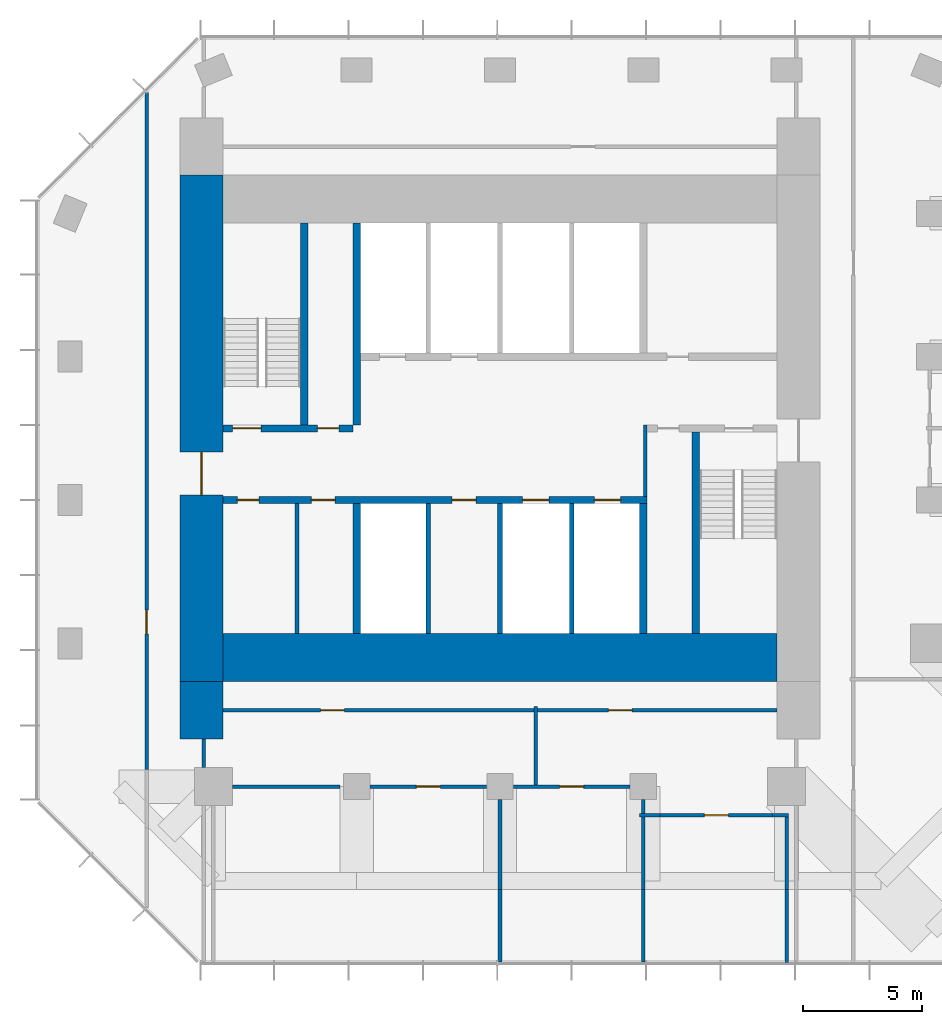
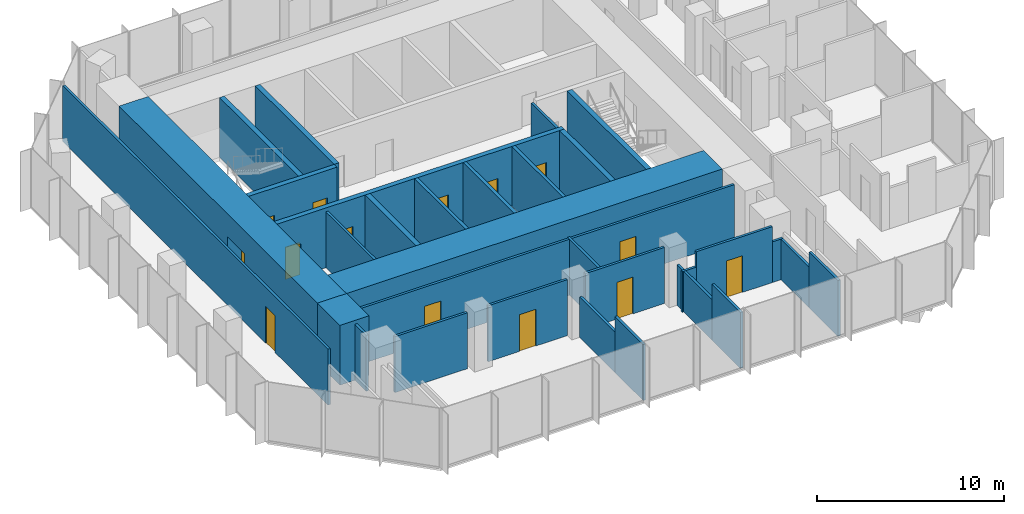
# One storey, part 8 of 11: 33 walls, 14 doors, 14 openings.
"""IFC4 building model written with IfcOpenShell, lengths in metres."""

from ifc_helpers import new_model, si_unit, direction, frame, frame_2d, origin, place, context, subcontext, project, spatial, rectangle, extrude, material, layer, layer_set, type_object, element, fill, save


model = new_model("IFC4")

# Units and contexts
model_context = context("Model", 3, precision=1e-05, world=origin(), true_north=direction((0.0, 1.0)))
body_context = subcontext(model_context, "Body", "Model", "MODEL_VIEW")
ifc_project = project(units=[si_unit("LENGTHUNIT", "METRE"), si_unit("AREAUNIT", "SQUARE_METRE"), si_unit("VOLUMEUNIT", "CUBIC_METRE"), si_unit("PLANEANGLEUNIT", "RADIAN"), si_unit("MASSUNIT", "GRAM", prefix="KILO")], contexts=[model_context])

# Site, building, storey
site_placement = place(None, origin())
site = spatial("IfcSite", under=ifc_project, at=site_placement, CompositionType="ELEMENT")
building_placement = place(site_placement, origin())
building = spatial("IfcBuilding", under=site, at=building_placement, Name="Highveld Stack Headquarters", CompositionType="ELEMENT")
storey_placement = place(building_placement, frame((0.0, 0.0, 284.0)))
storey = spatial("IfcBuildingStorey", under=building, at=storey_placement, Name="L70", CompositionType="ELEMENT", Elevation=284.0)

# Wall, opening, door
ifc_material_1 = material(Name="Concrete C60/75", Category="concrete")
ifc_layer_1 = layer(ifc_material_1, 1.800048828125)
ifc_layer_set_1 = layer_set([ifc_layer_1], Name="Concrete C60/75")
wall_type_1 = type_object("IfcWallType", Name="CORE WALL 1800 C60/75", PredefinedType="SHEAR", material=ifc_layer_set_1)
wall_1_placement = place(storey_placement, frame((-6.5, -7.60009765625, 0.0), z_axis=(0.0, 0.0, 1.0), x_axis=(0.0, 1.0, 0.0)))
wall_1 = element("IfcWall", 1, at=wall_1_placement, inside=storey, type_object=wall_type_1, Name="Core wall W L70", PredefinedType="SHEAR", context=body_context, shape_type="SweptSolid", body=[
    extrude(rectangle(XDim=21.2001953125, YDim=1.800048828125, at=frame_2d((10.60009765625, 0.0))), origin(), (0.0, 0.0, 1.0), 3.89990234375),
])
opening_1_placement = place(wall_1_placement, frame((7.800048828125, 0.0, 0.0)))
opening_1 = element("IfcOpeningElement", 2, at=opening_1_placement, cuts=wall_1, Name="Opening L70-01", PredefinedType="OPENING", context=body_context, shape_type="SweptSolid", body=[
    extrude(rectangle(XDim=1.800048828125, YDim=2.39990234375, at=frame_2d((0.89990234375, 1.199951171875))), frame((0.0, 0.909912109375, 0.0), z_axis=(0.0, -1.0, 0.0), x_axis=(1.0, 0.0, 0.0)), (0.0, 0.0, 1.0), 1.820068359375),
])
ifc_material_2 = material(Name="Steel fire door", Category="steel")
door_type_1 = type_object("IfcDoorType", Name="LOBBY FIRE DOOR D4 1800x2400", OperationType="DOUBLE_DOOR_SINGLE_SWING", PredefinedType="DOOR", material=ifc_material_2)
door_1_placement = place(opening_1_placement, origin())
door_1 = element("IfcDoor", 3, at=door_1_placement, inside=storey, type_object=door_type_1, Name="Core west door L70", OperationType="DOUBLE_DOOR_SINGLE_SWING", OverallHeight=2.39990234375, OverallWidth=1.800048828125, PredefinedType="DOOR", context=body_context, shape_type="SweptSolid", body=[
    extrude(rectangle(XDim=1.800048828125, YDim=2.39990234375, at=frame_2d((0.89990234375, 1.199951171875))), frame((0.0, 0.02490234375, 0.0), z_axis=(0.0, -1.0, 0.0), x_axis=(1.0, 0.0, 0.0)), (0.0, 0.0, 1.0), 0.050048828125),
])
fill(opening_1, door_1)

# Wall
ifc_material_3 = material(Name="Concrete C60/75", Category="concrete")
ifc_layer_2 = layer(ifc_material_3, 2.0)
ifc_layer_set_2 = layer_set([ifc_layer_2], Name="Concrete C60/75")
wall_type_2 = type_object("IfcWallType", Name="CORE WALL 2000 C60/75", PredefinedType="SHEAR", material=ifc_layer_set_2)
wall_2_placement = place(storey_placement, frame((-5.60009765625, -6.60009765625, 0.0), z_axis=(0.0, 0.0, 1.0), x_axis=(1.0, 0.0, 0.0)))
element("IfcWall", 4, at=wall_2_placement, inside=storey, type_object=wall_type_2, Name="Core wall S L70", PredefinedType="SHEAR", context=body_context, shape_type="SweptSolid", body=[
    extrude(rectangle(XDim=23.2001953125, YDim=2.0, at=frame_2d((11.60009765625, 0.0))), origin(), (0.0, 0.0, 1.0), 3.89990234375),
])

# Wall, openings, doors
ifc_material_4 = material(Name="Concrete C60/75", Category="concrete")
ifc_layer_3 = layer(ifc_material_4, 0.300048828125)
ifc_layer_set_3 = layer_set([ifc_layer_3], Name="Concrete C60/75")
wall_type_3 = type_object("IfcWallType", Name="CORE WALL 300 C60/75", PredefinedType="SHEAR", material=ifc_layer_set_3)
wall_3_placement = place(storey_placement, frame((-5.60009765625, 0.0, 0.0), z_axis=(0.0, 0.0, 1.0), x_axis=(1.0, 0.0, 0.0)))
wall_3 = element("IfcWall", 5, at=wall_3_placement, inside=storey, type_object=wall_type_3, Name="Core wall I-Y0 L70", PredefinedType="SHEAR", context=body_context, shape_type="SweptSolid", body=[
    extrude(rectangle(XDim=17.75, YDim=0.300048828125, at=frame_2d((8.875, 0.0))), origin(), (0.0, 0.0, 1.0), 3.89990234375),
])
opening_2_placement = place(wall_3_placement, frame((0.60009765625, 0.0, 0.0)))
opening_2 = element("IfcOpeningElement", 6, at=opening_2_placement, cuts=wall_3, Name="Opening L70-07", PredefinedType="OPENING", context=body_context, shape_type="SweptSolid", body=[
    extrude(rectangle(XDim=0.89990234375, YDim=2.10009765625, at=frame_2d((0.449951171875, 1.050048828125))), frame((0.0, 0.159912109375, 0.0), z_axis=(0.0, -1.0, 0.0), x_axis=(1.0, 0.0, 0.0)), (0.0, 0.0, 1.0), 0.320068359375),
])
opening_3_placement = place(wall_3_placement, frame((3.699951171875, 0.0, 0.0)))
opening_3 = element("IfcOpeningElement", 7, at=opening_3_placement, cuts=wall_3, Name="Opening L70-08", PredefinedType="OPENING", context=body_context, shape_type="SweptSolid", body=[
    extrude(rectangle(XDim=1.0, YDim=2.10009765625, at=frame_2d((0.5, 1.050048828125))), frame((0.0, 0.159912109375, 0.0), z_axis=(0.0, -1.0, 0.0), x_axis=(1.0, 0.0, 0.0)), (0.0, 0.0, 1.0), 0.320068359375),
])
opening_4_placement = place(wall_3_placement, frame((9.60009765625, 0.0, 0.0)))
opening_4 = element("IfcOpeningElement", 8, at=opening_4_placement, cuts=wall_3, Name="Opening L70-10", PredefinedType="OPENING", context=body_context, shape_type="SweptSolid", body=[
    extrude(rectangle(XDim=1.0, YDim=2.10009765625, at=frame_2d((0.5, 1.050048828125))), frame((0.0, 0.159912109375, 0.0), z_axis=(0.0, -1.0, 0.0), x_axis=(1.0, 0.0, 0.0)), (0.0, 0.0, 1.0), 0.320068359375),
])
opening_5_placement = place(wall_3_placement, frame((12.550048828125, 0.0, 0.0)))
opening_5 = element("IfcOpeningElement", 9, at=opening_5_placement, cuts=wall_3, Name="Opening LD", PredefinedType="OPENING", context=body_context, shape_type="SweptSolid", body=[
    extrude(rectangle(XDim=1.10009765625, YDim=2.10009765625, at=frame_2d((0.550048828125, 1.050048828125))), frame((0.0, 0.159912109375, 0.0), z_axis=(0.0, -1.0, 0.0), x_axis=(1.0, 0.0, 0.0)), (0.0, 0.0, 1.0), 0.320068359375),
])
opening_6_placement = place(wall_3_placement, frame((15.550048828125, 0.0, 0.0)))
opening_6 = element("IfcOpeningElement", 10, at=opening_6_placement, cuts=wall_3, Name="Opening LD", PredefinedType="OPENING", context=body_context, shape_type="SweptSolid", body=[
    extrude(rectangle(XDim=1.10009765625, YDim=2.10009765625, at=frame_2d((0.550048828125, 1.050048828125))), frame((0.0, 0.159912109375, 0.0), z_axis=(0.0, -1.0, 0.0), x_axis=(1.0, 0.0, 0.0)), (0.0, 0.0, 1.0), 0.320068359375),
])
ifc_material_5 = material(Name="Timber door, painted", Category="wood")
door_type_2 = type_object("IfcDoorType", Name="ACCESSIBLE WC DOOR D2 1000x2100", OperationType="SINGLE_SWING_RIGHT", PredefinedType="DOOR", material=ifc_material_5)
door_2_placement = place(opening_3_placement, origin())
door_2 = element("IfcDoor", 11, at=door_2_placement, inside=storey, type_object=door_type_2, Name="Accessible WC door L70", OperationType="SINGLE_SWING_LEFT", OverallHeight=2.10009765625, OverallWidth=1.0, PredefinedType="DOOR", context=body_context, shape_type="SweptSolid", body=[
    extrude(rectangle(XDim=1.0, YDim=2.10009765625, at=frame_2d((0.5, 1.050048828125))), frame((0.0, 0.02490234375, 0.0), z_axis=(0.0, -1.0, 0.0), x_axis=(1.0, 0.0, 0.0)), (0.0, 0.0, 1.0), 0.050048828125),
])
fill(opening_3, door_2)
ifc_material_6 = material(Name="Steel fire door", Category="steel")
door_type_3 = type_object("IfcDoorType", Name="CORE ROOM FIRE DOOR D14 1000x2100", OperationType="SINGLE_SWING_LEFT", PredefinedType="DOOR", material=ifc_material_6)
door_3_placement = place(opening_4_placement, origin())
door_3 = element("IfcDoor", 12, at=door_3_placement, inside=storey, type_object=door_type_3, Name="Capped B 1 door L70", OperationType="SINGLE_SWING_RIGHT", OverallHeight=2.10009765625, OverallWidth=1.0, PredefinedType="DOOR", context=body_context, shape_type="SweptSolid", body=[
    extrude(rectangle(XDim=1.0, YDim=2.10009765625, at=frame_2d((0.5, 1.050048828125))), frame((0.0, 0.02490234375, 0.0), z_axis=(0.0, -1.0, 0.0), x_axis=(1.0, 0.0, 0.0)), (0.0, 0.0, 1.0), 0.050048828125),
])
fill(opening_4, door_3)
ifc_material_7 = material(Name="Stainless steel lift landing door", Category="steel")
door_type_4 = type_object("IfcDoorType", Name="LIFT LANDING DOOR LD 1100x2100", OperationType="DOUBLE_DOOR_SLIDING", PredefinedType="USERDEFINED", material=ifc_material_7)
door_4_placement = place(opening_5_placement, origin())
door_4 = element("IfcDoor", 13, at=door_4_placement, inside=storey, type_object=door_type_4, Name="Lift landing door C1 L70", ObjectType="LIFT LANDING DOOR", OperationType="DOUBLE_DOOR_SLIDING", OverallHeight=2.10009765625, OverallWidth=1.10009765625, PredefinedType="USERDEFINED", context=body_context, shape_type="SweptSolid", body=[
    extrude(rectangle(XDim=1.10009765625, YDim=2.10009765625, at=frame_2d((0.550048828125, 1.050048828125))), frame((0.0, 0.02490234375, 0.0), z_axis=(0.0, -1.0, 0.0), x_axis=(1.0, 0.0, 0.0)), (0.0, 0.0, 1.0), 0.050048828125),
])
fill(opening_5, door_4)
door_5_placement = place(opening_6_placement, origin())
door_5 = element("IfcDoor", 14, at=door_5_placement, inside=storey, type_object=door_type_4, Name="Lift landing door C2 L70", ObjectType="LIFT LANDING DOOR", OperationType="DOUBLE_DOOR_SLIDING", OverallHeight=2.10009765625, OverallWidth=1.10009765625, PredefinedType="USERDEFINED", context=body_context, shape_type="SweptSolid", body=[
    extrude(rectangle(XDim=1.10009765625, YDim=2.10009765625, at=frame_2d((0.550048828125, 1.050048828125))), frame((0.0, 0.02490234375, 0.0), z_axis=(0.0, -1.0, 0.0), x_axis=(1.0, 0.0, 0.0)), (0.0, 0.0, 1.0), 0.050048828125),
])
fill(opening_6, door_5)
ifc_material_8 = material(Name="Timber door, painted", Category="wood")
door_type_5 = type_object("IfcDoorType", Name="WC DOOR D1 900x2100", OperationType="SINGLE_SWING_LEFT", PredefinedType="DOOR", material=ifc_material_8)
door_6_placement = place(opening_2_placement, origin())
door_6 = element("IfcDoor", 15, at=door_6_placement, inside=storey, type_object=door_type_5, Name="Female WC door L70", OperationType="SINGLE_SWING_LEFT", OverallHeight=2.10009765625, OverallWidth=0.89990234375, PredefinedType="DOOR", context=body_context, shape_type="SweptSolid", body=[
    extrude(rectangle(XDim=0.89990234375, YDim=2.10009765625, at=frame_2d((0.449951171875, 1.050048828125))), frame((0.0, 0.02490234375, 0.0), z_axis=(0.0, -1.0, 0.0), x_axis=(1.0, 0.0, 0.0)), (0.0, 0.0, 1.0), 0.050048828125),
])
fill(opening_2, door_6)

wall_4_placement = place(storey_placement, frame((-5.60009765625, 3.0, 0.0), z_axis=(0.0, 0.0, 1.0), x_axis=(1.0, 0.0, 0.0)))
wall_4 = element("IfcWall", 16, at=wall_4_placement, inside=storey, type_object=wall_type_3, Name="Core wall I-Y3W L70", PredefinedType="SHEAR", context=body_context, shape_type="SweptSolid", body=[
    extrude(rectangle(XDim=5.4501953125, YDim=0.300048828125, at=frame_2d((2.72509765625, 0.0))), origin(), (0.0, 0.0, 1.0), 3.89990234375),
])
opening_7_placement = place(wall_4_placement, frame((0.39990234375, 0.0, 0.0)))
opening_7 = element("IfcOpeningElement", 17, at=opening_7_placement, cuts=wall_4, Name="Opening L70-03", PredefinedType="OPENING", context=body_context, shape_type="SweptSolid", body=[
    extrude(rectangle(XDim=1.199951171875, YDim=2.10009765625, at=frame_2d((0.60009765625, 1.050048828125))), frame((0.0, 0.159912109375, 0.0), z_axis=(0.0, -1.0, 0.0), x_axis=(1.0, 0.0, 0.0)), (0.0, 0.0, 1.0), 0.320068359375),
])
opening_8_placement = place(wall_4_placement, frame((3.949951171875, 0.0, 0.0)))
opening_8 = element("IfcOpeningElement", 18, at=opening_8_placement, cuts=wall_4, Name="Opening L70-04", PredefinedType="OPENING", context=body_context, shape_type="SweptSolid", body=[
    extrude(rectangle(XDim=0.89990234375, YDim=2.10009765625, at=frame_2d((0.449951171875, 1.050048828125))), frame((0.0, 0.159912109375, 0.0), z_axis=(0.0, -1.0, 0.0), x_axis=(1.0, 0.0, 0.0)), (0.0, 0.0, 1.0), 0.320068359375),
])
ifc_material_9 = material(Name="Steel fire door", Category="steel")
door_type_6 = type_object("IfcDoorType", Name="RISER ACCESS DOOR D5 900x2100", OperationType="SINGLE_SWING_LEFT", PredefinedType="DOOR", material=ifc_material_9)
door_7_placement = place(opening_8_placement, origin())
door_7 = element("IfcDoor", 19, at=door_7_placement, inside=storey, type_object=door_type_6, Name="Riser R1 door L70", OperationType="SINGLE_SWING_RIGHT", OverallHeight=2.10009765625, OverallWidth=0.89990234375, PredefinedType="DOOR", context=body_context, shape_type="SweptSolid", body=[
    extrude(rectangle(XDim=0.89990234375, YDim=2.10009765625, at=frame_2d((0.449951171875, 1.050048828125))), frame((0.0, 0.02490234375, 0.0), z_axis=(0.0, -1.0, 0.0), x_axis=(1.0, 0.0, 0.0)), (0.0, 0.0, 1.0), 0.050048828125),
])
fill(opening_8, door_7)
ifc_material_10 = material(Name="Steel fire door", Category="steel")
door_type_7 = type_object("IfcDoorType", Name="STAIR FIRE DOOR D3 1200x2100", OperationType="SINGLE_SWING_LEFT", PredefinedType="DOOR", material=ifc_material_10)
door_8_placement = place(opening_7_placement, origin())
door_8 = element("IfcDoor", 20, at=door_8_placement, inside=storey, type_object=door_type_7, Name="Stair S1 door L70", OperationType="SINGLE_SWING_LEFT", OverallHeight=2.10009765625, OverallWidth=1.199951171875, PredefinedType="DOOR", context=body_context, shape_type="SweptSolid", body=[
    extrude(rectangle(XDim=1.199951171875, YDim=2.10009765625, at=frame_2d((0.60009765625, 1.050048828125))), frame((0.0, 0.02490234375, 0.0), z_axis=(0.0, -1.0, 0.0), x_axis=(1.0, 0.0, 0.0)), (0.0, 0.0, 1.0), 0.050048828125),
])
fill(opening_7, door_8)

# Walls
wall_5_placement = place(storey_placement, frame((0.0, -5.60009765625, 0.0), z_axis=(0.0, 0.0, 1.0), x_axis=(0.0, 1.0, 0.0)))
element("IfcWall", 21, at=wall_5_placement, inside=storey, type_object=wall_type_3, Name="Core wall I-X0S L70", PredefinedType="SHEAR", context=body_context, shape_type="SweptSolid", body=[
    extrude(rectangle(XDim=5.4501953125, YDim=0.300048828125, at=frame_2d((2.72509765625, 0.0))), origin(), (0.0, 0.0, 1.0), 3.89990234375),
])
wall_6_placement = place(storey_placement, frame((0.0, 3.14990234375, 0.0), z_axis=(0.0, 0.0, 1.0), x_axis=(0.0, 1.0, 0.0)))
element("IfcWall", 22, at=wall_6_placement, inside=storey, type_object=wall_type_3, Name="Core wall I-X0N L70", PredefinedType="SHEAR", context=body_context, shape_type="SweptSolid", body=[
    extrude(rectangle(XDim=8.4501953125, YDim=0.300048828125, at=frame_2d((4.22509765625, 0.0))), origin(), (0.0, 0.0, 1.0), 3.89990234375),
])
wall_7_placement = place(storey_placement, frame((12.0, -5.60009765625, 0.0), z_axis=(0.0, 0.0, 1.0), x_axis=(0.0, 1.0, 0.0)))
element("IfcWall", 23, at=wall_7_placement, inside=storey, type_object=wall_type_3, Name="Core wall I-X12S L70", PredefinedType="SHEAR", context=body_context, shape_type="SweptSolid", body=[
    extrude(rectangle(XDim=5.4501953125, YDim=0.300048828125, at=frame_2d((2.72509765625, 0.0))), origin(), (0.0, 0.0, 1.0), 3.89990234375),
])
for number, where, z_axis, x_axis, name in (
    (24, (-2.199951171875, 3.14990234375, 0.0), (0.0, 0.0, 1.0), (0.0, 1.0, 0.0), "Core wall I-RW L70"),
    (25, (14.199951171875, -5.60009765625, 0.0), (0.0, 0.0, 1.0), (0.0, 1.0, 0.0), "Core wall I-RE L70"),
):
    element("IfcWall", number, at=place(storey_placement, frame(where, z_axis=z_axis, x_axis=x_axis)), inside=storey, type_object=wall_type_3, Name=name, PredefinedType="SHEAR", context=body_context, shape_type="SweptSolid", body=[
        extrude(rectangle(XDim=8.4501953125, YDim=0.300048828125, at=frame_2d((4.22509765625, 0.0))), origin(), (0.0, 0.0, 1.0), 3.89990234375),
    ])
ifc_material_11 = material(Name="Concrete C60/75", Category="concrete")
ifc_layer_4 = layer(ifc_material_11, 1.800048828125)
ifc_layer_set_4 = layer_set([ifc_layer_4], Name="Concrete C60/75")
wall_type_4 = type_object("IfcWallType", Name="CORE WING WALL 1800 C60/75", PredefinedType="SHEAR", material=ifc_layer_set_4)
wall_8_placement = place(storey_placement, frame((-6.5, -10.0, 0.0), z_axis=(0.0, 0.0, 1.0), x_axis=(0.0, 1.0, 0.0)))
element("IfcWall", 26, at=wall_8_placement, inside=storey, type_object=wall_type_4, Name="Core wing wall WS L70", PredefinedType="SHEAR", context=body_context, shape_type="SweptSolid", body=[
    extrude(rectangle(XDim=2.39990234375, YDim=1.800048828125, at=frame_2d((1.199951171875, 0.0))), origin(), (0.0, 0.0, 1.0), 3.89990234375),
])
ifc_material_12 = material(Name="Concrete blockwork, plastered", Category="masonry")
ifc_layer_5 = layer(ifc_material_12, 0.14990234375)
ifc_layer_set_5 = layer_set([ifc_layer_5], Name="Concrete blockwork, plastered")
wall_type_5 = type_object("IfcWallType", Name="FIRE PARTITION 150 BLOCKWORK", PredefinedType="PARTITIONING", material=ifc_layer_set_5)
wall_9_placement = place(storey_placement, frame((12.074951171875, 0.14990234375, 0.0), z_axis=(0.0, 0.0, 1.0), x_axis=(0.0, 1.0, 0.0)))
element("IfcWall", 27, at=wall_9_placement, inside=storey, type_object=wall_type_5, Name="Riser R2 enclosure L70", PredefinedType="PARTITIONING", context=body_context, shape_type="SweptSolid", body=[
    extrude(rectangle(XDim=3.0, YDim=0.14990234375, at=frame_2d((1.5, 0.0))), origin(), (0.0, 0.0, 1.0), 3.64990234375),
])
ifc_material_13 = material(Name="Laminated glass in aluminium frame", Category="aluminium")
ifc_layer_6 = layer(ifc_material_13, 0.14990234375)
ifc_layer_set_6 = layer_set([ifc_layer_6], Name="Laminated glass in aluminium frame")
wall_type_6 = type_object("IfcWallType", Name="GLAZED PARTITION 150", PredefinedType="PARTITIONING", material=ifc_layer_set_6)
wall_10_placement = place(storey_placement, frame((-5.199951171875, -12.0, 0.0), z_axis=(0.0, 0.0, 1.0), x_axis=(1.0, 0.0, 0.0)))
element("IfcWall", 28, at=wall_10_placement, inside=storey, type_object=wall_type_6, Name="Glazed partition Executive meeting room L70", PredefinedType="PARTITIONING", context=body_context, shape_type="SweptSolid", body=[
    extrude(rectangle(XDim=4.489990234375, YDim=0.14990234375, at=frame_2d((2.2451171875, 0.0))), origin(), (0.0, 0.0, 1.0), 3.64990234375),
])

# Wall, opening, door
wall_11_placement = place(storey_placement, frame((0.56005859375, -12.0, 0.0), z_axis=(0.0, 0.0, 1.0), x_axis=(1.0, 0.0, 0.0)))
wall_11 = element("IfcWall", 29, at=wall_11_placement, inside=storey, type_object=wall_type_6, Name="Glazed partition Executive meeting room L70", PredefinedType="PARTITIONING", context=body_context, shape_type="SweptSolid", body=[
    extrude(rectangle(XDim=4.8798828125, YDim=0.14990234375, at=frame_2d((2.43994140625, 0.0))), origin(), (0.0, 0.0, 1.0), 3.64990234375),
])
opening_9_placement = place(wall_11_placement, frame((1.93994140625, 0.0, 0.0)))
opening_9 = element("IfcOpeningElement", 30, at=opening_9_placement, cuts=wall_11, Name="Opening L70-11", PredefinedType="OPENING", context=body_context, shape_type="SweptSolid", body=[
    extrude(rectangle(XDim=1.0, YDim=2.39990234375, at=frame_2d((0.5, 1.199951171875))), frame((0.0, 0.0849609375, 0.0), z_axis=(0.0, -1.0, 0.0), x_axis=(1.0, 0.0, 0.0)), (0.0, 0.0, 1.0), 0.169921875),
])
ifc_material_14 = material(Name="Timber door, oiled ash", Category="wood")
door_type_8 = type_object("IfcDoorType", Name="ROOM DOOR D11 1000x2400", OperationType="SINGLE_SWING_LEFT", PredefinedType="DOOR", material=ifc_material_14)
door_9_placement = place(opening_9_placement, origin())
door_9 = element("IfcDoor", 31, at=door_9_placement, inside=storey, type_object=door_type_8, Name="Executive meeting room door 1 L70", OperationType="SINGLE_SWING_LEFT", OverallHeight=2.39990234375, OverallWidth=1.0, PredefinedType="DOOR", context=body_context, shape_type="SweptSolid", body=[
    extrude(rectangle(XDim=1.0, YDim=2.39990234375, at=frame_2d((0.5, 1.199951171875))), frame((0.0, 0.02490234375, 0.0), z_axis=(0.0, -1.0, 0.0), x_axis=(1.0, 0.0, 0.0)), (0.0, 0.0, 1.0), 0.050048828125),
])
fill(opening_9, door_9)

wall_12_placement = place(storey_placement, frame((6.56005859375, -12.0, 0.0), z_axis=(0.0, 0.0, 1.0), x_axis=(1.0, 0.0, 0.0)))
wall_12 = element("IfcWall", 32, at=wall_12_placement, inside=storey, type_object=wall_type_6, Name="Glazed partition Meeting room L70", PredefinedType="PARTITIONING", context=body_context, shape_type="SweptSolid", body=[
    extrude(rectangle(XDim=4.8798828125, YDim=0.14990234375, at=frame_2d((2.43994140625, 0.0))), origin(), (0.0, 0.0, 1.0), 3.64990234375),
])
opening_10_placement = place(wall_12_placement, frame((1.93994140625, 0.0, 0.0)))
opening_10 = element("IfcOpeningElement", 33, at=opening_10_placement, cuts=wall_12, Name="Opening L70-12", PredefinedType="OPENING", context=body_context, shape_type="SweptSolid", body=[
    extrude(rectangle(XDim=1.0, YDim=2.39990234375, at=frame_2d((0.5, 1.199951171875))), frame((0.0, 0.0849609375, 0.0), z_axis=(0.0, -1.0, 0.0), x_axis=(1.0, 0.0, 0.0)), (0.0, 0.0, 1.0), 0.169921875),
])
door_10_placement = place(opening_10_placement, origin())
door_10 = element("IfcDoor", 34, at=door_10_placement, inside=storey, type_object=door_type_8, Name="Meeting room door 1 L70", OperationType="SINGLE_SWING_LEFT", OverallHeight=2.39990234375, OverallWidth=1.0, PredefinedType="DOOR", context=body_context, shape_type="SweptSolid", body=[
    extrude(rectangle(XDim=1.0, YDim=2.39990234375, at=frame_2d((0.5, 1.199951171875))), frame((0.0, 0.02490234375, 0.0), z_axis=(0.0, -1.0, 0.0), x_axis=(1.0, 0.0, 0.0)), (0.0, 0.0, 1.0), 0.050048828125),
])
fill(opening_10, door_10)

# Walls
ifc_material_15 = material(Name="Concrete blockwork, fair-faced", Category="masonry")
ifc_layer_7 = layer(ifc_material_15, 0.199951171875)
ifc_layer_set_7 = layer_set([ifc_layer_7], Name="Concrete blockwork, fair-faced")
wall_type_7 = type_object("IfcWallType", Name="LIFT SHAFT ENCLOSURE WALL 200 BLOCKWORK", PredefinedType="SOLIDWALL", material=ifc_layer_set_7)
for number, where, z_axis, x_axis, name in (
    (35, (3.0, -5.60009765625, 0.0), (0.0, 0.0, 1.0), (0.0, 1.0, 0.0), "Lift shaft wall L70"),
    (36, (6.0, -5.60009765625, 0.0), (0.0, 0.0, 1.0), (0.0, 1.0, 0.0), "Lift shaft wall L70"),
    (37, (9.0, -5.60009765625, 0.0), (0.0, 0.0, 1.0), (0.0, 1.0, 0.0), "Lift shaft wall L70"),
):
    element("IfcWall", number, at=place(storey_placement, frame(where, z_axis=z_axis, x_axis=x_axis)), inside=storey, type_object=wall_type_7, Name=name, PredefinedType="SOLIDWALL", context=body_context, shape_type="SweptSolid", body=[
        extrude(rectangle(XDim=5.4501953125, YDim=0.199951171875, at=frame_2d((2.72509765625, 0.0))), origin(), (0.0, 0.0, 1.0), 3.89990234375),
    ])
ifc_material_16 = material(Name="Gypsum plasterboard on steel studs", Category="steel")
ifc_layer_8 = layer(ifc_material_16, 0.14990234375)
ifc_layer_set_8 = layer_set([ifc_layer_8], Name="Gypsum plasterboard on steel studs")
wall_type_8 = type_object("IfcWallType", Name="PARTITION 150 PLASTERBOARD", PredefinedType="PARTITIONING", material=ifc_layer_set_8)
wall_13_placement = place(storey_placement, frame((11.85009765625, -13.199951171875, 0.0), z_axis=(0.0, 0.0, 1.0), x_axis=(1.0, 0.0, 0.0)))
element("IfcWall", 38, at=wall_13_placement, inside=storey, type_object=wall_type_8, Name="Partition Tea kitchen L70", PredefinedType="PARTITIONING", context=body_context, shape_type="SweptSolid", body=[
    extrude(rectangle(XDim=0.85986328125, YDim=0.14990234375, at=frame_2d((0.429931640625, 0.0))), origin(), (0.0, 0.0, 1.0), 2.64990234375),
])

# Wall, opening, door
wall_14_placement = place(storey_placement, frame((12.7099609375, -13.199951171875, 0.0), z_axis=(0.0, 0.0, 1.0), x_axis=(1.0, 0.0, 0.0)))
wall_14 = element("IfcWall", 39, at=wall_14_placement, inside=storey, type_object=wall_type_8, Name="Partition Tea kitchen L70", PredefinedType="PARTITIONING", context=body_context, shape_type="SweptSolid", body=[
    extrude(rectangle(XDim=4.697998046875, YDim=0.14990234375, at=frame_2d((2.34912109375, 0.0))), origin(), (0.0, 0.0, 1.0), 3.64990234375),
])
opening_11_placement = place(wall_14_placement, frame((1.84912109375, 0.0, 0.0)))
opening_11 = element("IfcOpeningElement", 40, at=opening_11_placement, cuts=wall_14, Name="Opening L70-13", PredefinedType="OPENING", context=body_context, shape_type="SweptSolid", body=[
    extrude(rectangle(XDim=1.0, YDim=2.39990234375, at=frame_2d((0.5, 1.199951171875))), frame((0.0, 0.0849609375, 0.0), z_axis=(0.0, -1.0, 0.0), x_axis=(1.0, 0.0, 0.0)), (0.0, 0.0, 1.0), 0.169921875),
])
door_11_placement = place(opening_11_placement, origin())
door_11 = element("IfcDoor", 41, at=door_11_placement, inside=storey, type_object=door_type_8, Name="Tea kitchen door 1 L70", OperationType="SINGLE_SWING_RIGHT", OverallHeight=2.39990234375, OverallWidth=1.0, PredefinedType="DOOR", context=body_context, shape_type="SweptSolid", body=[
    extrude(rectangle(XDim=1.0, YDim=2.39990234375, at=frame_2d((0.5, 1.199951171875))), frame((0.0, 0.02490234375, 0.0), z_axis=(0.0, -1.0, 0.0), x_axis=(1.0, 0.0, 0.0)), (0.0, 0.0, 1.0), 0.050048828125),
])
fill(opening_11, door_11)

# Walls
wall_15_placement = place(storey_placement, frame((17.407958984375, -13.199951171875, 0.0), z_axis=(0.0, 0.0, 1.0), x_axis=(1.0, 0.0, 0.0)))
element("IfcWall", 42, at=wall_15_placement, inside=storey, type_object=wall_type_8, Name="Partition Tea kitchen L70", PredefinedType="PARTITIONING", context=body_context, shape_type="SweptSolid", body=[
    extrude(rectangle(XDim=0.6669921875, YDim=0.14990234375, at=frame_2d((0.33349609375, 0.0))), origin(), (0.0, 0.0, 1.0), 2.64990234375),
])
wall_16_placement = place(storey_placement, frame((6.0, -19.35009765625, 0.0), z_axis=(0.0, 0.0, 1.0), x_axis=(0.0, 1.0, 0.0)))
element("IfcWall", 43, at=wall_16_placement, inside=storey, type_object=wall_type_8, Name="Partition Executive meeting room / Meeting room L70", PredefinedType="PARTITIONING", context=body_context, shape_type="SweptSolid", body=[
    extrude(rectangle(XDim=3.0400390625, YDim=0.14990234375, at=frame_2d((1.52001953125, 0.0))), origin(), (0.0, 0.0, 1.0), 3.64990234375),
])
wall_17_placement = place(storey_placement, frame((6.0, -16.31005859375, 0.0), z_axis=(0.0, 0.0, 1.0), x_axis=(0.0, 1.0, 0.0)))
element("IfcWall", 44, at=wall_17_placement, inside=storey, type_object=wall_type_8, Name="Partition Executive meeting room / Meeting room L70", PredefinedType="PARTITIONING", context=body_context, shape_type="SweptSolid", body=[
    extrude(rectangle(XDim=3.760009765625, YDim=0.14990234375, at=frame_2d((1.8798828125, 0.0))), origin(), (0.0, 0.0, 1.0), 2.64990234375),
])
wall_18_placement = place(storey_placement, frame((12.0, -19.35009765625, 0.0), z_axis=(0.0, 0.0, 1.0), x_axis=(0.0, 1.0, 0.0)))
element("IfcWall", 45, at=wall_18_placement, inside=storey, type_object=wall_type_8, Name="Partition Meeting room / Tea kitchen L70", PredefinedType="PARTITIONING", context=body_context, shape_type="SweptSolid", body=[
    extrude(rectangle(XDim=3.0400390625, YDim=0.14990234375, at=frame_2d((1.52001953125, 0.0))), origin(), (0.0, 0.0, 1.0), 3.64990234375),
])
wall_19_placement = place(storey_placement, frame((12.0, -16.31005859375, 0.0), z_axis=(0.0, 0.0, 1.0), x_axis=(0.0, 1.0, 0.0)))
element("IfcWall", 46, at=wall_19_placement, inside=storey, type_object=wall_type_8, Name="Partition Meeting room / Tea kitchen L70", PredefinedType="PARTITIONING", context=body_context, shape_type="SweptSolid", body=[
    extrude(rectangle(XDim=3.03515625, YDim=0.14990234375, at=frame_2d((1.517578125, 0.0))), origin(), (0.0, 0.0, 1.0), 2.64990234375),
])
wall_20_placement = place(storey_placement, frame((12.0, -13.125, 0.0), z_axis=(0.0, 0.0, 1.0), x_axis=(0.0, 1.0, 0.0)))
element("IfcWall", 47, at=wall_20_placement, inside=storey, type_object=wall_type_8, Name="Partition Meeting room L70", PredefinedType="PARTITIONING", context=body_context, shape_type="SweptSolid", body=[
    extrude(rectangle(XDim=0.574951171875, YDim=0.14990234375, at=frame_2d((0.28759765625, 0.0))), origin(), (0.0, 0.0, 1.0), 2.64990234375),
])
wall_21_placement = place(storey_placement, frame((18.0, -19.375, 0.0), z_axis=(0.0, 0.0, 1.0), x_axis=(0.0, 1.0, 0.0)))
element("IfcWall", 48, at=wall_21_placement, inside=storey, type_object=wall_type_8, Name="Partition Tea kitchen L70", PredefinedType="PARTITIONING", context=body_context, shape_type="SweptSolid", body=[
    extrude(rectangle(XDim=3.06494140625, YDim=0.14990234375, at=frame_2d((1.532470703125, 0.0))), origin(), (0.0, 0.0, 1.0), 3.64990234375),
])
wall_22_placement = place(storey_placement, frame((18.0, -16.31005859375, 0.0), z_axis=(0.0, 0.0, 1.0), x_axis=(0.0, 1.0, 0.0)))
element("IfcWall", 49, at=wall_22_placement, inside=storey, type_object=wall_type_8, Name="Partition Tea kitchen L70", PredefinedType="PARTITIONING", context=body_context, shape_type="SweptSolid", body=[
    extrude(rectangle(XDim=3.03515625, YDim=0.14990234375, at=frame_2d((1.517578125, 0.0))), origin(), (0.0, 0.0, 1.0), 2.64990234375),
])

# Wall, opening, door
wall_23_placement = place(storey_placement, frame((-8.800048828125, -11.2900390625, 0.0), z_axis=(0.0, 0.0, 1.0), x_axis=(0.0, 1.0, 0.0)))
wall_23 = element("IfcWall", 50, at=wall_23_placement, inside=storey, type_object=wall_type_8, Name="Partition office neighbourhood L70", PredefinedType="PARTITIONING", context=body_context, shape_type="SweptSolid", body=[
    extrude(rectangle(XDim=28.35302734375, YDim=0.14990234375, at=frame_2d((14.176513671875, 0.0))), origin(), (0.0, 0.0, 1.0), 3.64990234375),
])
opening_12_placement = place(wall_23_placement, frame((5.678955078125, 0.0, 0.0)))
opening_12 = element("IfcOpeningElement", 51, at=opening_12_placement, cuts=wall_23, Name="Opening L70-22", PredefinedType="OPENING", context=body_context, shape_type="SweptSolid", body=[
    extrude(rectangle(XDim=1.0, YDim=2.39990234375, at=frame_2d((0.5, 1.199951171875))), frame((0.0, 0.0849609375, 0.0), z_axis=(0.0, -1.0, 0.0), x_axis=(1.0, 0.0, 0.0)), (0.0, 0.0, 1.0), 0.169921875),
])
door_12_placement = place(opening_12_placement, origin())
door_12 = element("IfcDoor", 52, at=door_12_placement, inside=storey, type_object=door_type_8, Name="Office neighbourhood door L70", OperationType="SINGLE_SWING_LEFT", OverallHeight=2.39990234375, OverallWidth=1.0, PredefinedType="DOOR", context=body_context, shape_type="SweptSolid", body=[
    extrude(rectangle(XDim=1.0, YDim=2.39990234375, at=frame_2d((0.5, 1.199951171875))), frame((0.0, 0.02490234375, 0.0), z_axis=(0.0, -1.0, 0.0), x_axis=(1.0, 0.0, 0.0)), (0.0, 0.0, 1.0), 0.050048828125),
])
fill(opening_12, door_12)

# Wall
wall_24_placement = place(storey_placement, frame((-6.39990234375, -11.199951171875, 0.0), z_axis=(0.0, 0.0, 1.0), x_axis=(0.0, 1.0, 0.0)))
element("IfcWall", 53, at=wall_24_placement, inside=storey, type_object=wall_type_8, Name="Partition office neighbourhood L70", PredefinedType="PARTITIONING", context=body_context, shape_type="SweptSolid", body=[
    extrude(rectangle(XDim=1.199951171875, YDim=0.14990234375, at=frame_2d((0.60009765625, 0.0))), origin(), (0.0, 0.0, 1.0), 3.64990234375),
])

# Wall, opening, door
wall_25_placement = place(storey_placement, frame((-5.60009765625, -8.800048828125, 0.0), z_axis=(0.0, 0.0, 1.0), x_axis=(1.0, 0.0, 0.0)))
wall_25 = element("IfcWall", 54, at=wall_25_placement, inside=storey, type_object=wall_type_8, Name="Partition office neighbourhood L70", PredefinedType="PARTITIONING", context=body_context, shape_type="SweptSolid", body=[
    extrude(rectangle(XDim=13.025146484375, YDim=0.14990234375, at=frame_2d((6.5126953125, 0.0))), origin(), (0.0, 0.0, 1.0), 3.64990234375),
])
opening_13_placement = place(wall_25_placement, frame((4.0849609375, 0.0, 0.0)))
opening_13 = element("IfcOpeningElement", 55, at=opening_13_placement, cuts=wall_25, Name="Opening L70-21", PredefinedType="OPENING", context=body_context, shape_type="SweptSolid", body=[
    extrude(rectangle(XDim=1.0, YDim=2.39990234375, at=frame_2d((0.5, 1.199951171875))), frame((0.0, 0.0849609375, 0.0), z_axis=(0.0, -1.0, 0.0), x_axis=(1.0, 0.0, 0.0)), (0.0, 0.0, 1.0), 0.169921875),
])
door_13_placement = place(opening_13_placement, origin())
door_13 = element("IfcDoor", 56, at=door_13_placement, inside=storey, type_object=door_type_8, Name="Office neighbourhood door L70", OperationType="SINGLE_SWING_LEFT", OverallHeight=2.39990234375, OverallWidth=1.0, PredefinedType="DOOR", context=body_context, shape_type="SweptSolid", body=[
    extrude(rectangle(XDim=1.0, YDim=2.39990234375, at=frame_2d((0.5, 1.199951171875))), frame((0.0, 0.02490234375, 0.0), z_axis=(0.0, -1.0, 0.0), x_axis=(1.0, 0.0, 0.0)), (0.0, 0.0, 1.0), 0.050048828125),
])
fill(opening_13, door_13)

# Wall
wall_26_placement = place(storey_placement, frame((7.5, -11.925048828125, 0.0), z_axis=(0.0, 0.0, 1.0), x_axis=(0.0, 1.0, 0.0)))
element("IfcWall", 57, at=wall_26_placement, inside=storey, type_object=wall_type_8, Name="Partition office neighbourhood L70", PredefinedType="PARTITIONING", context=body_context, shape_type="SweptSolid", body=[
    extrude(rectangle(XDim=3.275146484375, YDim=0.14990234375, at=frame_2d((1.6376953125, 0.0))), origin(), (0.0, 0.0, 1.0), 3.64990234375),
])

# Wall, opening, door
wall_27_placement = place(storey_placement, frame((7.574951171875, -8.800048828125, 0.0), z_axis=(0.0, 0.0, 1.0), x_axis=(1.0, 0.0, 0.0)))
wall_27 = element("IfcWall", 58, at=wall_27_placement, inside=storey, type_object=wall_type_8, Name="Partition office neighbourhood L70", PredefinedType="PARTITIONING", context=body_context, shape_type="SweptSolid", body=[
    extrude(rectangle(XDim=10.025146484375, YDim=0.14990234375, at=frame_2d((5.0126953125, 0.0))), origin(), (0.0, 0.0, 1.0), 3.64990234375),
])
opening_14_placement = place(wall_27_placement, frame((2.9599609375, 0.0, 0.0)))
opening_14 = element("IfcOpeningElement", 59, at=opening_14_placement, cuts=wall_27, Name="Opening L70-20", PredefinedType="OPENING", context=body_context, shape_type="SweptSolid", body=[
    extrude(rectangle(XDim=1.0, YDim=2.39990234375, at=frame_2d((0.5, 1.199951171875))), frame((0.0, 0.0849609375, 0.0), z_axis=(0.0, -1.0, 0.0), x_axis=(1.0, 0.0, 0.0)), (0.0, 0.0, 1.0), 0.169921875),
])
door_14_placement = place(opening_14_placement, origin())
door_14 = element("IfcDoor", 60, at=door_14_placement, inside=storey, type_object=door_type_8, Name="Office neighbourhood door L70", OperationType="SINGLE_SWING_LEFT", OverallHeight=2.39990234375, OverallWidth=1.0, PredefinedType="DOOR", context=body_context, shape_type="SweptSolid", body=[
    extrude(rectangle(XDim=1.0, YDim=2.39990234375, at=frame_2d((0.5, 1.199951171875))), frame((0.0, 0.02490234375, 0.0), z_axis=(0.0, -1.0, 0.0), x_axis=(1.0, 0.0, 0.0)), (0.0, 0.0, 1.0), 0.050048828125),
])
fill(opening_14, door_14)

# Wall
ifc_material_17 = material(Name="Concrete blockwork, tiled", Category="masonry")
ifc_layer_9 = layer(ifc_material_17, 0.14990234375)
ifc_layer_set_9 = layer_set([ifc_layer_9], Name="Concrete blockwork, tiled")
wall_type_9 = type_object("IfcWallType", Name="WC PARTITION 150", PredefinedType="PLUMBINGWALL", material=ifc_layer_set_9)
wall_28_placement = place(storey_placement, frame((-2.5, -5.60009765625, 0.0), z_axis=(0.0, 0.0, 1.0), x_axis=(0.0, 1.0, 0.0)))
element("IfcWall", 61, at=wall_28_placement, inside=storey, type_object=wall_type_9, Name="Toilet partition L70", PredefinedType="PLUMBINGWALL", context=body_context, shape_type="SweptSolid", body=[
    extrude(rectangle(XDim=5.4501953125, YDim=0.14990234375, at=frame_2d((2.72509765625, 0.0))), origin(), (0.0, 0.0, 1.0), 3.64990234375),
])

save(model, "model.ifc")
